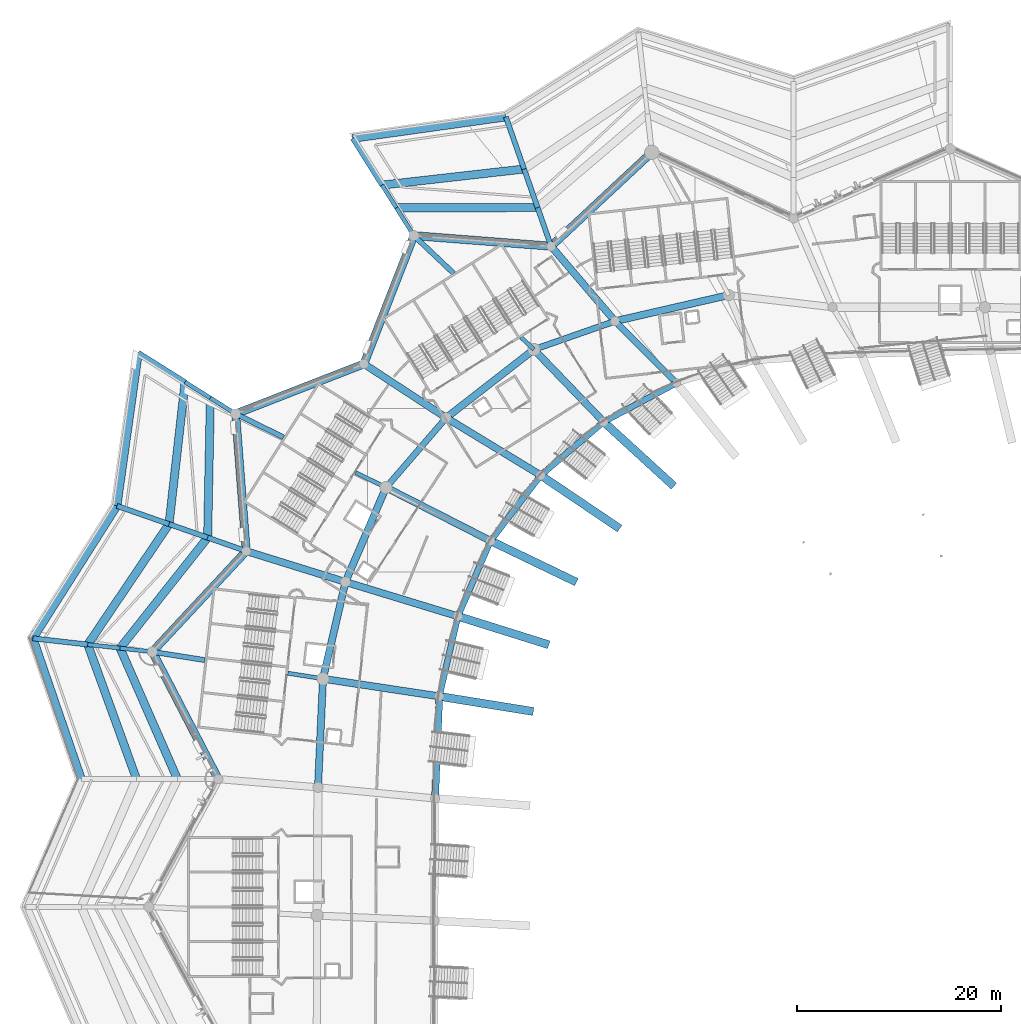
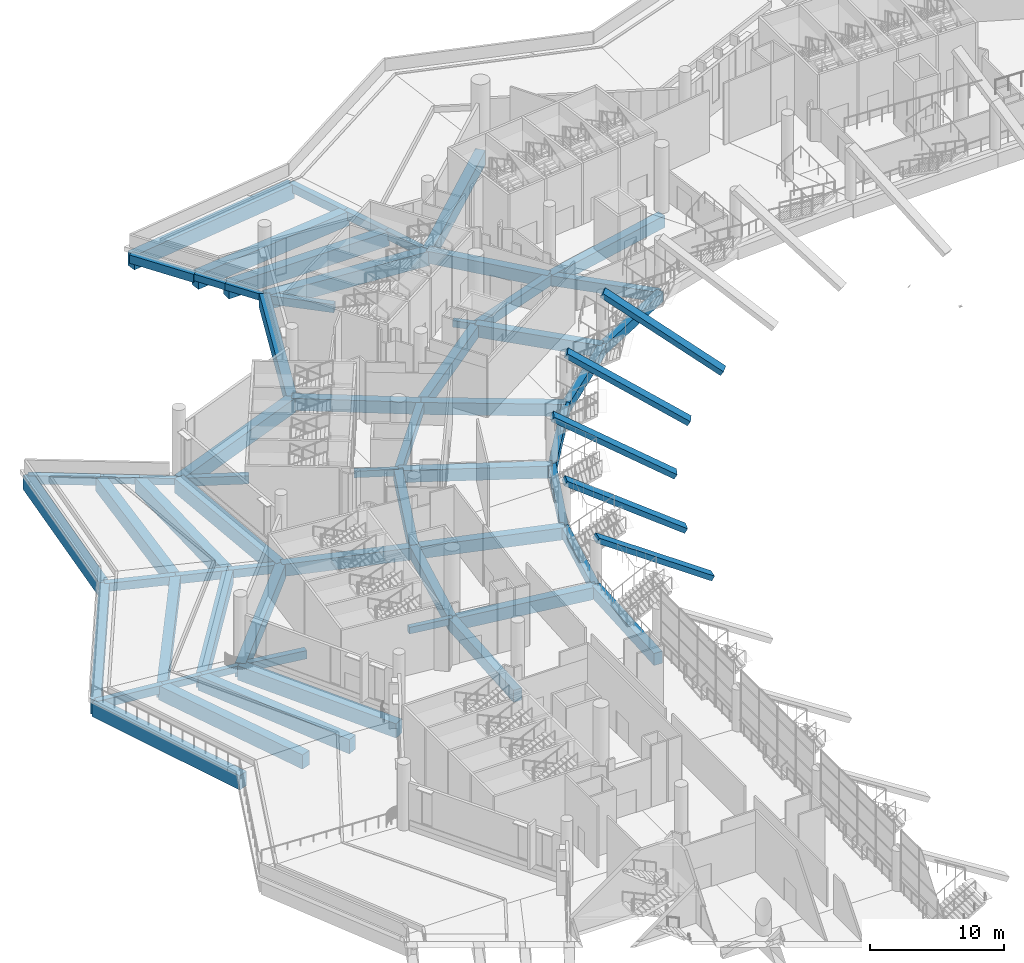
# One storey, part 17 of 173: 67 beams.
"""IFC4 building model written with IfcOpenShell, lengths in metres."""

from ifc_helpers import new_model, si_unit, direction, frame, origin, origin_2d, place, context, subcontext, project, spatial, rectangle, extrude, material, material_profile, profile_set, type_object, element, save


model = new_model("IFC4")

# Units and contexts
model_context = context("Model", 3, precision=1e-05, world=origin(), true_north=direction((0.0, 1.0)))
body_context = subcontext(model_context, "Body", "Model", "MODEL_VIEW")
ifc_project = project(units=[si_unit("LENGTHUNIT", "METRE"), si_unit("AREAUNIT", "SQUARE_METRE"), si_unit("VOLUMEUNIT", "CUBIC_METRE"), si_unit("PLANEANGLEUNIT", "RADIAN"), si_unit("MASSUNIT", "GRAM", prefix="KILO")], contexts=[model_context])

# Site, building, storey
site_placement = place(None, origin())
site = spatial("IfcSite", under=ifc_project, at=site_placement, CompositionType="ELEMENT")
building_placement = place(site_placement, origin())
building = spatial("IfcBuilding", under=site, at=building_placement, Name="Meseta Stadium", CompositionType="ELEMENT")
storey_placement = place(building_placement, frame((0.0, 0.0, 18.0)))
storey = spatial("IfcBuildingStorey", under=building, at=storey_placement, Name="L03", CompositionType="ELEMENT", Elevation=18.0)

# Beams
ifc_material_1 = material(Name="Concrete C40/50", Category="concrete")
ifc_material_profile_1 = material_profile(ifc_material_1, rectangle(XDim=0.39990234375, YDim=0.60009765625, at=origin_2d()), Name="RC 400x600")
ifc_profile_set_1 = profile_set([ifc_material_profile_1], Name="Concrete C40/50")
beam_type_1 = type_object("IfcBeamType", Name="RC beam 400x600", PredefinedType="BEAM", material=ifc_profile_set_1)
beam_1_placement = place(storey_placement, frame((-63.731201171875, 85.77099609375, -0.64990234375), z_axis=(-0.725600801439, 0.688115889187, 0.0), x_axis=(-0.688115889187, -0.725600801439, 0.0)))
element("IfcBeam", 1, at=beam_1_placement, inside=storey, type_object=beam_type_1, Name="L03 radial beam frame 24 line P to R", PredefinedType="BEAM", context=body_context, shape_type="SweptSolid", body=[
    extrude(rectangle(XDim=0.39990234375, YDim=0.60009765625, at=origin_2d()), origin(), (0.0, 0.0, 1.0), 1.732421875),
])
beam_2_placement = place(storey_placement, frame((-78.197998046875, 72.27197265625, -0.64990234375), z_axis=(-0.898132346212, 0.439725242267, 0.0), x_axis=(-0.439725242267, -0.898132346212, 0.0)))
element("IfcBeam", 2, at=beam_2_placement, inside=storey, type_object=beam_type_1, Name="L03 radial beam frame 26 line P to R", PredefinedType="BEAM", context=body_context, shape_type="SweptSolid", body=[
    extrude(rectangle(XDim=0.39990234375, YDim=0.60009765625, at=origin_2d()), origin(), (0.0, 0.0, 1.0), 3.306396484375),
])
beam_3_placement = place(storey_placement, frame((-84.36328125, 53.5654296875, -0.64990234375), z_axis=(-0.987745905014, 0.156070583799, 0.0), x_axis=(-0.156070583799, -0.987745905014, 0.0)))
element("IfcBeam", 3, at=beam_3_placement, inside=storey, type_object=beam_type_1, Name="L03 radial beam frame 28 line P to R", PredefinedType="BEAM", context=body_context, shape_type="SweptSolid", body=[
    extrude(rectangle(XDim=0.39990234375, YDim=0.60009765625, at=origin_2d()), origin(), (0.0, 0.0, 1.0), 3.482177734375),
])
beam_4_placement = place(storey_placement, frame((-75.474609375, 96.908447265625, -0.699951171875), z_axis=(-0.532008453304, 0.846739042216, 0.0), x_axis=(-0.846739042216, -0.532008453304, 0.0)))
element("IfcBeam", 4, at=beam_4_placement, inside=storey, type_object=beam_type_1, Name="L03 radial beam frame 24 line R to M", PredefinedType="BEAM", context=body_context, shape_type="SweptSolid", body=[
    extrude(rectangle(XDim=0.39990234375, YDim=0.60009765625, at=origin_2d()), origin(), (0.0, 0.0, 1.0), 3.21923828125),
])
beam_5_placement = place(storey_placement, frame((-77.187255859375, 99.63427734375, -0.699951171875), z_axis=(-0.532083725107, 0.84669174407, 0.0), x_axis=(-0.84669174407, -0.532083725107, 0.0)))
element("IfcBeam", 5, at=beam_5_placement, inside=storey, type_object=beam_type_1, Name="L03 radial beam frame 24 line M to Q", PredefinedType="BEAM", context=body_context, shape_type="SweptSolid", body=[
    extrude(rectangle(XDim=0.39990234375, YDim=0.60009765625, at=origin_2d()), origin(), (0.0, 0.0, 1.0), 2.619140625),
])
beam_6_placement = place(storey_placement, frame((-92.908447265625, 79.474609375, -0.699951171875), z_axis=(-0.846736663206, 0.532012239693, 0.0), x_axis=(-0.532012239693, -0.846736663206, 0.0)))
element("IfcBeam", 6, at=beam_6_placement, inside=storey, type_object=beam_type_1, Name="L03 radial beam frame 26 line R to M", PredefinedType="BEAM", context=body_context, shape_type="SweptSolid", body=[
    extrude(rectangle(XDim=0.39990234375, YDim=0.60009765625, at=origin_2d()), origin(), (0.0, 0.0, 1.0), 2.9189453125),
])
beam_7_placement = place(storey_placement, frame((-95.380126953125, 81.027587890625, -0.699951171875), z_axis=(-0.846698986635, 0.532072200017, 0.0), x_axis=(-0.532072200017, -0.846698986635, 0.0)))
element("IfcBeam", 7, at=beam_7_placement, inside=storey, type_object=beam_type_1, Name="L03 radial beam frame 26 line M to Q", PredefinedType="BEAM", context=body_context, shape_type="SweptSolid", body=[
    extrude(rectangle(XDim=0.39990234375, YDim=0.60009765625, at=origin_2d()), origin(), (0.0, 0.0, 1.0), 2.919189453125),
])
beam_8_placement = place(storey_placement, frame((-101.0517578125, 56.202880859375, -0.699951171875), z_axis=(-0.99371595508, 0.111931231652, 0.0), x_axis=(-0.111931231652, -0.99371595508, 0.0)))
element("IfcBeam", 8, at=beam_8_placement, inside=storey, type_object=beam_type_1, Name="L03 radial beam frame 28 line R to M", PredefinedType="BEAM", context=body_context, shape_type="SweptSolid", body=[
    extrude(rectangle(XDim=0.39990234375, YDim=0.60009765625, at=origin_2d()), origin(), (0.0, 0.0, 1.0), 3.18017578125),
])
beam_9_placement = place(storey_placement, frame((-104.2119140625, 56.558837890625, -0.699951171875), z_axis=(-0.993708376267, 0.111998495247, 0.0), x_axis=(-0.111998495247, -0.993708376267, 0.0)))
element("IfcBeam", 9, at=beam_9_placement, inside=storey, type_object=beam_type_1, Name="L03 radial beam frame 28 line M to Q", PredefinedType="BEAM", context=body_context, shape_type="SweptSolid", body=[
    extrude(rectangle(XDim=0.39990234375, YDim=0.60009765625, at=origin_2d()), origin(), (0.0, 0.0, 1.0), 3.180419921875),
])
ifc_material_2 = material(Name="Concrete C40/50", Category="concrete")
ifc_material_profile_2 = material_profile(ifc_material_2, rectangle(XDim=0.5, YDim=0.75, at=origin_2d()), Name="RC 500x750")
ifc_profile_set_2 = profile_set([ifc_material_profile_2], Name="Concrete C40/50")
beam_type_2 = type_object("IfcBeamType", Name="RC beam 500x750", PredefinedType="BEAM", material=ifc_profile_set_2)
beam_10_placement = place(storey_placement, frame((-71.57958984375, 93.214599609375, -0.72509765625), z_axis=(-0.725596444109, 0.688120483852, 0.0), x_axis=(-0.688120483852, -0.725596444109, 0.0)))
element("IfcBeam", 10, at=beam_10_placement, inside=storey, type_object=beam_type_2, Name="L03 radial beam frame 24 line P to R", PredefinedType="BEAM", context=body_context, shape_type="SweptSolid", body=[
    extrude(rectangle(XDim=0.5, YDim=0.75, at=origin_2d()), origin(), (0.0, 0.0, 1.0), 5.367919921875),
])
beam_11_placement = place(storey_placement, frame((-88.212158203125, 77.175048828125, -0.72509765625), z_axis=(-0.898112763243, 0.439765237939, 0.0), x_axis=(-0.439765237939, -0.898112763243, 0.0)))
element("IfcBeam", 11, at=beam_11_placement, inside=storey, type_object=beam_type_2, Name="L03 radial beam frame 26 line P to R", PredefinedType="BEAM", context=body_context, shape_type="SweptSolid", body=[
    extrude(rectangle(XDim=0.5, YDim=0.75, at=origin_2d()), origin(), (0.0, 0.0, 1.0), 5.22900390625),
])
beam_12_placement = place(storey_placement, frame((-95.910400390625, 55.390380859375, -0.72509765625), z_axis=(-0.987742039994, 0.156095042932, 0.0), x_axis=(-0.156095042932, -0.987742039994, 0.0)))
element("IfcBeam", 12, at=beam_12_placement, inside=storey, type_object=beam_type_2, Name="L03 radial beam frame 28 line P to R", PredefinedType="BEAM", context=body_context, shape_type="SweptSolid", body=[
    extrude(rectangle(XDim=0.5, YDim=0.75, at=origin_2d()), origin(), (0.0, 0.0, 1.0), 5.205078125),
])
for number, where, z_axis, x_axis, name in (
    (13, (-62.051513671875, 95.872802734375, -0.77490234375), (-0.330328674497, 0.943865968666, 0.0), (-0.943865968666, -0.330328674497, 0.0), "L03 radial beam frame 23 line R to M"),
    (14, (-63.372802734375, 99.648193359375, -0.77490234375), (-0.330255269735, 0.94389165523, 0.0), (-0.94389165523, -0.330255269735, 0.0), "L03 radial beam frame 23 line M to Q"),
):
    element("IfcBeam", number, at=place(storey_placement, frame(where, z_axis=z_axis, x_axis=x_axis)), inside=storey, type_object=beam_type_2, Name=name, PredefinedType="BEAM", context=body_context, shape_type="SweptSolid", body=[
        extrude(rectangle(XDim=0.5, YDim=0.75, at=origin_2d()), origin(), (0.0, 0.0, 1.0), 4.0),
    ])
beam_13_placement = place(storey_placement, frame((-64.69384765625, 103.423828125, -0.77490234375), z_axis=(-0.330271882003, 0.943885842652, 0.0), x_axis=(-0.943885842652, -0.330271882003, 0.0)))
element("IfcBeam", 15, at=beam_13_placement, inside=storey, type_object=beam_type_2, Name="L03 radial beam frame 23 line Q to O", PredefinedType="BEAM", context=body_context, shape_type="SweptSolid", body=[
    extrude(rectangle(XDim=0.5, YDim=0.75, at=origin_2d()), origin(), (0.0, 0.0, 1.0), 5.39990234375),
])
for number, where, z_axis, x_axis, name in (
    (16, (-78.580810546875, 101.851806640625, -0.77490234375), (-0.531992833871, 0.846748855747, 0.0), (-0.846748855747, -0.531992833871, 0.0), "L03 radial beam frame 24 line Q to O"),
    (17, (-97.851806640625, 82.580810546875, -0.77490234375), (-0.846748855747, 0.531992833871, 0.0), (-0.531992833871, -0.846748855747, 0.0), "L03 radial beam frame 26 line Q to O"),
):
    element("IfcBeam", number, at=place(storey_placement, frame(where, z_axis=z_axis, x_axis=x_axis)), inside=storey, type_object=beam_type_2, Name=name, PredefinedType="BEAM", context=body_context, shape_type="SweptSolid", body=[
        extrude(rectangle(XDim=0.5, YDim=0.75, at=origin_2d()), origin(), (0.0, 0.0, 1.0), 5.400146484375),
    ])
for number, where, z_axis, x_axis, name in (
    (18, (-91.872802734375, 66.051513671875, -0.77490234375), (-0.943865968666, 0.330328674497, 0.0), (-0.330328674497, -0.943865968666, 0.0), "L03 radial beam frame 27 line R to M"),
    (19, (-95.648193359375, 67.372802734375, -0.77490234375), (-0.94389165523, 0.330255269735, 0.0), (-0.330255269735, -0.94389165523, 0.0), "L03 radial beam frame 27 line M to Q"),
):
    element("IfcBeam", number, at=place(storey_placement, frame(where, z_axis=z_axis, x_axis=x_axis)), inside=storey, type_object=beam_type_2, Name=name, PredefinedType="BEAM", context=body_context, shape_type="SweptSolid", body=[
        extrude(rectangle(XDim=0.5, YDim=0.75, at=origin_2d()), origin(), (0.0, 0.0, 1.0), 4.0),
    ])
for number, where, z_axis, x_axis, name in (
    (20, (-99.423828125, 68.69384765625, -0.77490234375), (-0.943885842652, 0.330271882003, 0.0), (-0.330271882003, -0.943885842652, 0.0), "L03 radial beam frame 27 line Q to O"),
    (21, (-107.372314453125, 56.9150390625, -0.77490234375), (-0.993714415722, 0.111944897098, 0.0), (-0.111944897098, -0.993714415722, 0.0), "L03 radial beam frame 28 line Q to O"),
):
    element("IfcBeam", number, at=place(storey_placement, frame(where, z_axis=z_axis, x_axis=x_axis)), inside=storey, type_object=beam_type_2, Name=name, PredefinedType="BEAM", context=body_context, shape_type="SweptSolid", body=[
        extrude(rectangle(XDim=0.5, YDim=0.75, at=origin_2d()), origin(), (0.0, 0.0, 1.0), 5.39990234375),
    ])
ifc_material_3 = material(Name="Concrete C40/50", Category="concrete")
ifc_material_profile_3 = material_profile(ifc_material_3, rectangle(XDim=0.60009765625, YDim=0.89990234375, at=origin_2d()), Name="RC 600x900")
ifc_profile_set_3 = profile_set([ifc_material_profile_3], Name="Concrete C40/50")
beam_type_3 = type_object("IfcBeamType", Name="RC beam 600x900", PredefinedType="BEAM", material=ifc_profile_set_3)
beam_14_placement = place(storey_placement, frame((-49.791015625, 82.498779296875, -0.800048828125), z_axis=(-0.882172948557, -0.47092556613, 0.0), x_axis=(0.47092556613, -0.882172948557, 0.0)))
element("IfcBeam", 22, at=beam_14_placement, inside=storey, type_object=beam_type_3, Name="L03 ring beam frame 23 line E", PredefinedType="BEAM", context=body_context, shape_type="SweptSolid", body=[
    extrude(rectangle(XDim=0.60009765625, YDim=0.89990234375, at=origin_2d()), origin(), (0.0, 0.0, 1.0), 8.075439453125),
])
beam_15_placement = place(storey_placement, frame((-55.799560546875, 88.541748046875, -0.800048828125), z_axis=(-0.944055708451, -0.329786020537, 0.0), x_axis=(0.329786020537, -0.944055708451, 0.0)))
element("IfcBeam", 23, at=beam_15_placement, inside=storey, type_object=beam_type_3, Name="L03 ring beam frame 23 line P", PredefinedType="BEAM", context=body_context, shape_type="SweptSolid", body=[
    extrude(rectangle(XDim=0.60009765625, YDim=0.89990234375, at=origin_2d()), origin(), (0.0, 0.0, 1.0), 8.401611328125),
])
beam_16_placement = place(storey_placement, frame((-56.9150390625, 78.69580078125, -0.800048828125), z_axis=(-0.762201166724, -0.647340236231, 0.0), x_axis=(0.647340236231, -0.762201166724, 0.0)))
element("IfcBeam", 24, at=beam_16_placement, inside=storey, type_object=beam_type_3, Name="L03 ring beam frame 24 line E", PredefinedType="BEAM", context=body_context, shape_type="SweptSolid", body=[
    extrude(rectangle(XDim=0.60009765625, YDim=0.89990234375, at=origin_2d()), origin(), (0.0, 0.0, 1.0), 8.07275390625),
])
beam_17_placement = place(storey_placement, frame((-63.068115234375, 73.469970703125, -0.800048828125), z_axis=(-0.607521948786, -0.794302890428, 0.0), x_axis=(0.794302890428, -0.607521948786, 0.0)))
element("IfcBeam", 25, at=beam_17_placement, inside=storey, type_object=beam_type_3, Name="L03 ring beam frame 25 line E", PredefinedType="BEAM", context=body_context, shape_type="SweptSolid", body=[
    extrude(rectangle(XDim=0.60009765625, YDim=0.89990234375, at=origin_2d()), origin(), (0.0, 0.0, 1.0), 8.072509765625),
])
beam_18_placement = place(storey_placement, frame((-72.31201171875, 79.091064453125, -0.800048828125), z_axis=(-0.653414508663, -0.757000316954, 0.0), x_axis=(0.757000316954, -0.653414508663, 0.0)))
element("IfcBeam", 26, at=beam_18_placement, inside=storey, type_object=beam_type_3, Name="L03 ring beam frame 25 line P", PredefinedType="BEAM", context=body_context, shape_type="SweptSolid", body=[
    extrude(rectangle(XDim=0.60009765625, YDim=0.89990234375, at=origin_2d()), origin(), (0.0, 0.0, 1.0), 9.008056640625),
])
beam_19_placement = place(storey_placement, frame((-67.972412109375, 67.057861328125, -0.800048828125), z_axis=(-0.397502661884, -0.91760102103, 0.0), x_axis=(0.91760102103, -0.397502661884, 0.0)))
element("IfcBeam", 27, at=beam_19_placement, inside=storey, type_object=beam_type_3, Name="L03 ring beam frame 26 line E", PredefinedType="BEAM", context=body_context, shape_type="SweptSolid", body=[
    extrude(rectangle(XDim=0.60009765625, YDim=0.89990234375, at=origin_2d()), origin(), (0.0, 0.0, 1.0), 8.04345703125),
])
beam_20_placement = place(storey_placement, frame((-71.169677734375, 59.67724609375, -0.800048828125), z_axis=(-0.226697740265, -0.973965160855, 0.0), x_axis=(0.973965160855, -0.226697740265, 0.0)))
element("IfcBeam", 28, at=beam_20_placement, inside=storey, type_object=beam_type_3, Name="L03 ring beam frame 27 line E", PredefinedType="BEAM", context=body_context, shape_type="SweptSolid", body=[
    extrude(rectangle(XDim=0.60009765625, YDim=0.89990234375, at=origin_2d()), origin(), (0.0, 0.0, 1.0), 8.039306640625),
])
beam_21_placement = place(storey_placement, frame((-49.791015625, 82.498779296875, -0.800048828125), z_axis=(-0.705084131782, 0.709123661366, 0.0), x_axis=(-0.709123661366, -0.705084131782, 0.0)))
element("IfcBeam", 29, at=beam_21_placement, inside=storey, type_object=beam_type_3, Name="L03 radial beam frame 23 line E to P", PredefinedType="BEAM", context=body_context, shape_type="SweptSolid", body=[
    extrude(rectangle(XDim=0.60009765625, YDim=0.89990234375, at=origin_2d()), origin(), (0.0, 0.0, 1.0), 8.521728515625),
])
ifc_material_4 = material(Name="Concrete C40/50", Category="concrete")
ifc_material_profile_4 = material_profile(ifc_material_4, rectangle(XDim=0.699951171875, YDim=1.10009765625, at=origin_2d()), Name="RC 700x1100")
ifc_profile_set_4 = profile_set([ifc_material_profile_4], Name="Concrete C40/50")
beam_type_4 = type_object("IfcBeamType", Name="RC beam 700x1100", PredefinedType="BEAM", material=ifc_profile_set_4)
beam_22_placement = place(storey_placement, frame((-44.6826171875, 91.0908203125, -0.89990234375), z_axis=(-0.974704832518, -0.22349606141, 0.0), x_axis=(0.22349606141, -0.974704832518, 0.0)))
element("IfcBeam", 30, at=beam_22_placement, inside=storey, type_object=beam_type_4, Name="L03 ring beam frame 22 line P", PredefinedType="BEAM", context=body_context, shape_type="SweptSolid", body=[
    extrude(rectangle(XDim=0.699951171875, YDim=1.10009765625, at=origin_2d()), origin(), (0.0, 0.0, 1.0), 11.405517578125),
])
beam_23_placement = place(storey_placement, frame((-63.731201171875, 85.77099609375, -0.89990234375), z_axis=(-0.789086185012, -0.614282502293, 0.0), x_axis=(0.614282502293, -0.789086185012, 0.0)))
element("IfcBeam", 31, at=beam_23_placement, inside=storey, type_object=beam_type_4, Name="L03 ring beam frame 24 line P", PredefinedType="BEAM", context=body_context, shape_type="SweptSolid", body=[
    extrude(rectangle(XDim=0.699951171875, YDim=1.10009765625, at=origin_2d()), origin(), (0.0, 0.0, 1.0), 10.874267578125),
])
beam_24_placement = place(storey_placement, frame((-78.197998046875, 72.27197265625, -0.89990234375), z_axis=(-0.394921198525, -0.918714997676, 0.0), x_axis=(0.918714997676, -0.394921198525, 0.0)))
element("IfcBeam", 32, at=beam_24_placement, inside=storey, type_object=beam_type_4, Name="L03 ring beam frame 26 line P", PredefinedType="BEAM", context=body_context, shape_type="SweptSolid", body=[
    extrude(rectangle(XDim=0.699951171875, YDim=1.10009765625, at=origin_2d()), origin(), (0.0, 0.0, 1.0), 10.0556640625),
])
beam_25_placement = place(storey_placement, frame((-82.169189453125, 63.03369140625, -0.89990234375), z_axis=(-0.225749180431, -0.974185458491, 0.0), x_axis=(0.974185458491, -0.225749180431, 0.0)))
element("IfcBeam", 33, at=beam_25_placement, inside=storey, type_object=beam_type_4, Name="L03 ring beam frame 27 line P", PredefinedType="BEAM", context=body_context, shape_type="SweptSolid", body=[
    extrude(rectangle(XDim=0.699951171875, YDim=1.10009765625, at=origin_2d()), origin(), (0.0, 0.0, 1.0), 9.71923828125),
])
beam_26_placement = place(storey_placement, frame((-72.9921875, 51.84716796875, -0.89990234375), z_axis=(-0.041287079546, -0.999147325004, 0.0), x_axis=(0.999147325004, -0.041287079546, 0.0)))
element("IfcBeam", 34, at=beam_26_placement, inside=storey, type_object=beam_type_4, Name="L03 ring beam frame 28 line E", PredefinedType="BEAM", context=body_context, shape_type="SweptSolid", body=[
    extrude(rectangle(XDim=0.699951171875, YDim=1.10009765625, at=origin_2d()), origin(), (0.0, 0.0, 1.0), 9.993408203125),
])
beam_27_placement = place(storey_placement, frame((-84.36328125, 53.5654296875, -0.89990234375), z_axis=(-0.046171416705, -0.998933531462, 0.0), x_axis=(0.998933531462, -0.046171416705, 0.0)))
element("IfcBeam", 35, at=beam_27_placement, inside=storey, type_object=beam_type_4, Name="L03 ring beam frame 28 line P", PredefinedType="BEAM", context=body_context, shape_type="SweptSolid", body=[
    extrude(rectangle(XDim=0.699951171875, YDim=1.10009765625, at=origin_2d()), origin(), (0.0, 0.0, 1.0), 10.628173828125),
])
beam_28_placement = place(storey_placement, frame((-55.799560546875, 88.541748046875, -0.89990234375), z_axis=(-0.648886206148, 0.760885465409, 0.0), x_axis=(-0.760885465409, -0.648886206148, 0.0)))
element("IfcBeam", 36, at=beam_28_placement, inside=storey, type_object=beam_type_4, Name="L03 radial beam frame 23 line P to R", PredefinedType="BEAM", context=body_context, shape_type="SweptSolid", body=[
    extrude(rectangle(XDim=0.699951171875, YDim=1.10009765625, at=origin_2d()), origin(), (0.0, 0.0, 1.0), 9.635009765625),
])
beam_29_placement = place(storey_placement, frame((-56.9150390625, 78.69580078125, -0.89990234375), z_axis=(-0.69380069558, 0.72016706035, 0.0), x_axis=(-0.72016706035, -0.69380069558, 0.0)))
element("IfcBeam", 37, at=beam_29_placement, inside=storey, type_object=beam_type_4, Name="L03 radial beam frame 24 line E to P", PredefinedType="BEAM", context=body_context, shape_type="SweptSolid", body=[
    extrude(rectangle(XDim=0.699951171875, YDim=1.10009765625, at=origin_2d()), origin(), (0.0, 0.0, 1.0), 9.824462890625),
])
beam_30_placement = place(storey_placement, frame((-63.068115234375, 73.469970703125, -0.89990234375), z_axis=(-0.854429426189, 0.519567469788, 0.0), x_axis=(-0.519567469788, -0.854429426189, 0.0)))
element("IfcBeam", 38, at=beam_30_placement, inside=storey, type_object=beam_type_4, Name="L03 radial beam frame 25 line E to P", PredefinedType="BEAM", context=body_context, shape_type="SweptSolid", body=[
    extrude(rectangle(XDim=0.699951171875, YDim=1.10009765625, at=origin_2d()), origin(), (0.0, 0.0, 1.0), 10.81884765625),
])
beam_31_placement = place(storey_placement, frame((-72.31201171875, 79.091064453125, -0.89990234375), z_axis=(-0.836556122728, 0.547881240349, 0.0), x_axis=(-0.547881240349, -0.836556122728, 0.0)))
element("IfcBeam", 39, at=beam_31_placement, inside=storey, type_object=beam_type_4, Name="L03 radial beam frame 25 line P to R", PredefinedType="BEAM", context=body_context, shape_type="SweptSolid", body=[
    extrude(rectangle(XDim=0.699951171875, YDim=1.10009765625, at=origin_2d()), origin(), (0.0, 0.0, 1.0), 9.626953125),
])
beam_32_placement = place(storey_placement, frame((-67.972412109375, 67.057861328125, -0.89990234375), z_axis=(-0.890868510984, 0.454261264184, 0.0), x_axis=(-0.454261264184, -0.890868510984, 0.0)))
element("IfcBeam", 40, at=beam_32_placement, inside=storey, type_object=beam_type_4, Name="L03 radial beam frame 26 line E to P", PredefinedType="BEAM", context=body_context, shape_type="SweptSolid", body=[
    extrude(rectangle(XDim=0.699951171875, YDim=1.10009765625, at=origin_2d()), origin(), (0.0, 0.0, 1.0), 11.478271484375),
])
beam_33_placement = place(storey_placement, frame((-71.169677734375, 59.67724609375, -0.89990234375), z_axis=(-0.956461260307, 0.291859311198, 0.0), x_axis=(-0.291859311198, -0.956461260307, 0.0)))
element("IfcBeam", 41, at=beam_33_placement, inside=storey, type_object=beam_type_4, Name="L03 radial beam frame 27 line E to P", PredefinedType="BEAM", context=body_context, shape_type="SweptSolid", body=[
    extrude(rectangle(XDim=0.699951171875, YDim=1.10009765625, at=origin_2d()), origin(), (0.0, 0.0, 1.0), 11.500244140625),
])
beam_34_placement = place(storey_placement, frame((-82.169189453125, 63.03369140625, -0.89990234375), z_axis=(-0.954886907796, 0.296969684176, 0.0), x_axis=(-0.296969684176, -0.954886907796, 0.0)))
element("IfcBeam", 42, at=beam_34_placement, inside=storey, type_object=beam_type_4, Name="L03 radial beam frame 27 line P to R", PredefinedType="BEAM", context=body_context, shape_type="SweptSolid", body=[
    extrude(rectangle(XDim=0.699951171875, YDim=1.10009765625, at=origin_2d()), origin(), (0.0, 0.0, 1.0), 10.162109375),
])
beam_35_placement = place(storey_placement, frame((-72.9921875, 51.84716796875, -0.89990234375), z_axis=(-0.988775073655, 0.149411692039, 0.0), x_axis=(-0.149411692039, -0.988775073655, 0.0)))
element("IfcBeam", 43, at=beam_35_placement, inside=storey, type_object=beam_type_4, Name="L03 radial beam frame 28 line E to P", PredefinedType="BEAM", context=body_context, shape_type="SweptSolid", body=[
    extrude(rectangle(XDim=0.699951171875, YDim=1.10009765625, at=origin_2d()), origin(), (0.0, 0.0, 1.0), 11.500244140625),
])
ifc_material_5 = material(Name="Concrete C40/50", Category="concrete")
ifc_material_profile_5 = material_profile(ifc_material_5, rectangle(XDim=0.800048828125, YDim=1.300048828125, at=origin_2d()), Name="RC 800x1300")
ifc_profile_set_5 = profile_set([ifc_material_profile_5], Name="Concrete C40/50")
beam_type_5 = type_object("IfcBeamType", Name="RC beam 800x1300", PredefinedType="BEAM", material=ifc_profile_set_5)
for number, where, z_axis, x_axis, name in (
    (44, (-52.202880859375, 105.0517578125, -1.0), (-0.73154053301, -0.681797952889, 0.0), (0.681797952889, -0.73154053301, 0.0), "L03 ring beam frame 22 line R"),
    (45, (-62.051513671875, 95.872802734375, -1.0), (-0.997036858399, 0.076925307894, 0.0), (-0.076925307894, -0.997036858399, 0.0), "L03 ring beam frame 23 line R"),
    (46, (-75.474609375, 96.908447265625, -1.0), (-0.363287980868, -0.93167689837, 0.0), (0.93167689837, -0.363287980868, 0.0), "L03 ring beam frame 24 line R"),
    (47, (-80.365478515625, 84.365478515625, -1.0), (-0.93167689837, -0.363287980868, 0.0), (0.363287980868, -0.93167689837, 0.0), "L03 ring beam frame 25 line R"),
    (48, (-92.908447265625, 79.474609375, -1.0), (0.076925307894, -0.997036858399, 0.0), (0.997036858399, 0.076925307894, 0.0), "L03 ring beam frame 26 line R"),
    (49, (-91.872802734375, 66.051513671875, -1.0), (-0.681797952889, -0.73154053301, 0.0), (0.73154053301, -0.681797952889, 0.0), "L03 ring beam frame 27 line R"),
):
    element("IfcBeam", number, at=place(storey_placement, frame(where, z_axis=z_axis, x_axis=x_axis)), inside=storey, type_object=beam_type_5, Name=name, PredefinedType="BEAM", context=body_context, shape_type="SweptSolid", body=[
        extrude(rectangle(XDim=0.800048828125, YDim=1.300048828125, at=origin_2d()), origin(), (0.0, 0.0, 1.0), 13.462890625),
    ])
beam_36_placement = place(storey_placement, frame((-101.0517578125, 56.202880859375, -1.0), z_axis=(0.460014301189, -0.887911506121, 0.0), x_axis=(0.887911506121, 0.460014301189, 0.0)))
element("IfcBeam", 50, at=beam_36_placement, inside=storey, type_object=beam_type_5, Name="L03 ring beam frame 28 line R", PredefinedType="BEAM", context=body_context, shape_type="SweptSolid", body=[
    extrude(rectangle(XDim=0.800048828125, YDim=1.300048828125, at=origin_2d()), origin(), (0.0, 0.0, 1.0), 14.02490234375),
])
beam_37_placement = place(storey_placement, frame((-63.372802734375, 99.648193359375, -1.050048828125), z_axis=(-0.999999492621, -0.00100735139, 0.0), x_axis=(0.00100735139, -0.999999492621, 0.0)))
element("IfcBeam", 51, at=beam_37_placement, inside=storey, type_object=beam_type_5, Name="L03 ring beam frame 23 line M", PredefinedType="BEAM", context=body_context, shape_type="SweptSolid", body=[
    extrude(rectangle(XDim=0.800048828125, YDim=1.300048828125, at=origin_2d()), origin(), (0.0, 0.0, 1.0), 13.814453125),
])
beam_38_placement = place(storey_placement, frame((-64.69384765625, 103.423828125, -1.050048828125), z_axis=(-0.993653668283, -0.112482832054, 0.0), x_axis=(0.112482832054, -0.993653668283, 0.0)))
element("IfcBeam", 52, at=beam_38_placement, inside=storey, type_object=beam_type_5, Name="L03 ring beam frame 23 line Q", PredefinedType="BEAM", context=body_context, shape_type="SweptSolid", body=[
    extrude(rectangle(XDim=0.800048828125, YDim=1.300048828125, at=origin_2d()), origin(), (0.0, 0.0, 1.0), 13.9755859375),
])
beam_39_placement = place(storey_placement, frame((-66.477294921875, 108.520751953125, -1.050048828125), z_axis=(-0.990344007641, -0.138631693814, 0.0), x_axis=(0.138631693814, -0.990344007641, 0.0)))
element("IfcBeam", 53, at=beam_39_placement, inside=storey, type_object=beam_type_5, Name="L03 ring beam frame 23 line O", PredefinedType="BEAM", context=body_context, shape_type="SweptSolid", body=[
    extrude(rectangle(XDim=0.800048828125, YDim=1.300048828125, at=origin_2d()), origin(), (0.0, 0.0, 1.0), 15.122314453125),
])
beam_40_placement = place(storey_placement, frame((-95.380126953125, 81.027587890625, -1.050048828125), z_axis=(-0.019627900499, -0.999807354205, 0.0), x_axis=(0.999807354205, -0.019627900499, 0.0)))
element("IfcBeam", 54, at=beam_40_placement, inside=storey, type_object=beam_type_5, Name="L03 ring beam frame 26 line M", PredefinedType="BEAM", context=body_context, shape_type="SweptSolid", body=[
    extrude(rectangle(XDim=0.800048828125, YDim=1.300048828125, at=origin_2d()), origin(), (0.0, 0.0, 1.0), 13.657470703125),
])
beam_41_placement = place(storey_placement, frame((-97.851806640625, 82.580810546875, -1.050048828125), z_axis=(-0.112482832054, -0.993653668283, 0.0), x_axis=(0.993653668283, -0.112482832054, 0.0)))
element("IfcBeam", 55, at=beam_41_placement, inside=storey, type_object=beam_type_5, Name="L03 ring beam frame 26 line Q", PredefinedType="BEAM", context=body_context, shape_type="SweptSolid", body=[
    extrude(rectangle(XDim=0.800048828125, YDim=1.300048828125, at=origin_2d()), origin(), (0.0, 0.0, 1.0), 13.9755859375),
])
beam_42_placement = place(storey_placement, frame((-102.42431640625, 85.45361328125, -1.050048828125), z_axis=(-0.138631693814, -0.990344007641, 0.0), x_axis=(0.990344007641, -0.138631693814, 0.0)))
element("IfcBeam", 56, at=beam_42_placement, inside=storey, type_object=beam_type_5, Name="L03 ring beam frame 26 line O", PredefinedType="BEAM", context=body_context, shape_type="SweptSolid", body=[
    extrude(rectangle(XDim=0.800048828125, YDim=1.300048828125, at=origin_2d()), origin(), (0.0, 0.0, 1.0), 15.122314453125),
])
beam_43_placement = place(storey_placement, frame((-95.648193359375, 67.372802734375, -1.050048828125), z_axis=(-0.620821710153, -0.783951786912, 0.0), x_axis=(0.783951786912, -0.620821710153, 0.0)))
element("IfcBeam", 57, at=beam_43_placement, inside=storey, type_object=beam_type_5, Name="L03 ring beam frame 27 line M", PredefinedType="BEAM", context=body_context, shape_type="SweptSolid", body=[
    extrude(rectangle(XDim=0.800048828125, YDim=1.300048828125, at=origin_2d()), origin(), (0.0, 0.0, 1.0), 13.794189453125),
])
beam_44_placement = place(storey_placement, frame((-99.423828125, 68.69384765625, -1.050048828125), z_axis=(-0.559366030795, -0.828920770395, 0.0), x_axis=(0.828920770395, -0.559366030795, 0.0)))
element("IfcBeam", 58, at=beam_44_placement, inside=storey, type_object=beam_type_5, Name="L03 ring beam frame 27 line Q", PredefinedType="BEAM", context=body_context, shape_type="SweptSolid", body=[
    extrude(rectangle(XDim=0.800048828125, YDim=1.300048828125, at=origin_2d()), origin(), (0.0, 0.0, 1.0), 14.209716796875),
])
beam_45_placement = place(storey_placement, frame((-104.520751953125, 70.477294921875, -1.050048828125), z_axis=(-0.535561122927, -0.844496467493, 0.0), x_axis=(0.844496467493, -0.535561122927, 0.0)))
element("IfcBeam", 59, at=beam_45_placement, inside=storey, type_object=beam_type_5, Name="L03 ring beam frame 27 line O", PredefinedType="BEAM", context=body_context, shape_type="SweptSolid", body=[
    extrude(rectangle(XDim=0.800048828125, YDim=1.300048828125, at=origin_2d()), origin(), (0.0, 0.0, 1.0), 15.34375),
])
beam_46_placement = place(storey_placement, frame((-104.2119140625, 56.558837890625, -1.050048828125), z_axis=(0.401295934377, -0.915948455456, 0.0), x_axis=(0.915948455456, 0.401295934377, 0.0)))
element("IfcBeam", 60, at=beam_46_placement, inside=storey, type_object=beam_type_5, Name="L03 ring beam frame 28 line M", PredefinedType="BEAM", context=body_context, shape_type="SweptSolid", body=[
    extrude(rectangle(XDim=0.800048828125, YDim=1.300048828125, at=origin_2d()), origin(), (0.0, 0.0, 1.0), 13.984130859375),
])
beam_47_placement = place(storey_placement, frame((-107.372314453125, 56.9150390625, -1.050048828125), z_axis=(0.340792389295, -0.940138578827, 0.0), x_axis=(0.940138578827, 0.340792389295, 0.0)))
element("IfcBeam", 61, at=beam_47_placement, inside=storey, type_object=beam_type_5, Name="L03 ring beam frame 28 line Q", PredefinedType="BEAM", context=body_context, shape_type="SweptSolid", body=[
    extrude(rectangle(XDim=0.800048828125, YDim=1.300048828125, at=origin_2d()), origin(), (0.0, 0.0, 1.0), 14.00341796875),
])
beam_48_placement = place(storey_placement, frame((-112.73828125, 57.51953125, -1.050048828125), z_axis=(0.325387125895, -0.945580889349, 0.0), x_axis=(0.945580889349, 0.325387125895, 0.0)))
element("IfcBeam", 62, at=beam_48_placement, inside=storey, type_object=beam_type_5, Name="L03 ring beam frame 28 line O", PredefinedType="BEAM", context=body_context, shape_type="SweptSolid", body=[
    extrude(rectangle(XDim=0.800048828125, YDim=1.300048828125, at=origin_2d()), origin(), (0.0, 0.0, 1.0), 14.56201171875),
])
ifc_material_6 = material(Name="Concrete C40/50", Category="concrete")
ifc_material_profile_6 = material_profile(ifc_material_6, rectangle(XDim=0.800048828125, YDim=0.449951171875, at=origin_2d()), Name="RC 800x450")
ifc_profile_set_6 = profile_set([ifc_material_profile_6], Name="Concrete C40/50")
beam_type_6 = type_object("IfcBeamType", Name="RC raker upper rear 800x450", PredefinedType="USERDEFINED", material=ifc_profile_set_6)
beam_49_placement = place(storey_placement, frame((-50.12890625, 72.483642578125, -1.469482421875), z_axis=(-0.625966379814, 0.573021820923, 0.528972668566), x_axis=(-0.675224583095, -0.737612203251, 0.0)))
element("IfcBeam", 63, at=beam_49_placement, inside=storey, type_object=beam_type_6, Name="Raker upper rear frame 24 upper tier", ObjectType="RAKER", PredefinedType="USERDEFINED", context=body_context, shape_type="SweptSolid", body=[
    extrude(rectangle(XDim=0.800048828125, YDim=0.449951171875, at=origin_2d()), origin(), (0.0, 0.0, 1.0), 10.841064453125),
])
beam_50_placement = place(storey_placement, frame((-55.443115234375, 68.322509765625, -1.62890625), z_axis=(-0.703353322068, 0.474817541063, 0.529001329898), x_axis=(-0.559516608619, -0.828819138702, 0.0)))
element("IfcBeam", 64, at=beam_50_placement, inside=storey, type_object=beam_type_6, Name="Raker upper rear frame 25 upper tier", ObjectType="RAKER", PredefinedType="USERDEFINED", context=body_context, shape_type="SweptSolid", body=[
    extrude(rectangle(XDim=0.800048828125, YDim=0.449951171875, at=origin_2d()), origin(), (0.0, 0.0, 1.0), 10.8408203125),
])
for number, where, z_axis, x_axis, name in (
    (65, (-59.681396484375, 63.070556640625, -1.796875), (-0.764771201297, 0.367792793274, 0.529011787093), (-0.433403864315, -0.901199806034, 0.0), "Raker upper rear frame 26 upper tier"),
    (66, (-62.39111328125, 56.9248046875, -2.052978515625), (-0.809744587488, 0.253888268747, 0.529012712537), (-0.299179955662, -0.954196706204, 0.0), "Raker upper rear frame 27 upper tier"),
):
    element("IfcBeam", number, at=place(storey_placement, frame(where, z_axis=z_axis, x_axis=x_axis)), inside=storey, type_object=beam_type_6, Name=name, ObjectType="RAKER", PredefinedType="USERDEFINED", context=body_context, shape_type="SweptSolid", body=[
        extrude(rectangle(XDim=0.800048828125, YDim=0.449951171875, at=origin_2d()), origin(), (0.0, 0.0, 1.0), 10.841064453125),
    ])
beam_51_placement = place(storey_placement, frame((-63.9091796875, 50.38427734375, -1.880126953125), z_axis=(-0.837420529896, 0.134873234468, 0.529656555451), x_axis=(-0.159008836168, -0.987277159677, 0.0)))
element("IfcBeam", 67, at=beam_51_placement, inside=storey, type_object=beam_type_6, Name="Raker upper rear frame 28 upper tier", ObjectType="RAKER", PredefinedType="USERDEFINED", context=body_context, shape_type="SweptSolid", body=[
    extrude(rectangle(XDim=0.800048828125, YDim=0.449951171875, at=origin_2d()), origin(), (0.0, 0.0, 1.0), 10.846435546875),
])

save(model, "model.ifc")
